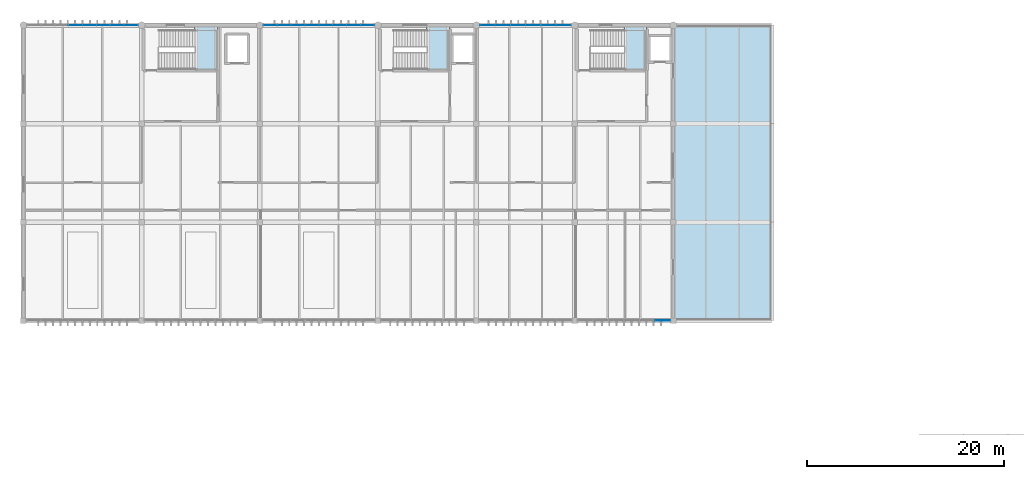
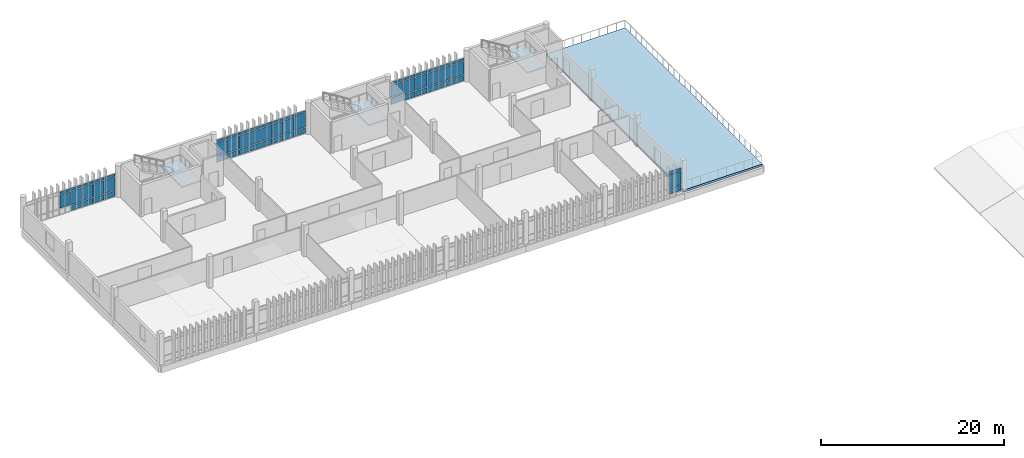
# One storey, part 24 of 29: 59 plates, 4 slabs, 7 elements without a shape of their own.
"""IFC4 building model written with IfcOpenShell, lengths in metres."""

from ifc_helpers import new_model, si_unit, direction, frame, origin, origin_2d, place, context, subcontext, project, spatial, polyline, rectangle, outline, extrude, material, layer, layer_set, type_object, element, aggregate, save


model = new_model("IFC4")

# Units and contexts
model_context = context("Model", 3, precision=1e-05, world=origin(), true_north=direction((0.0, 1.0)))
body_context = subcontext(model_context, "Body", "Model", "MODEL_VIEW")
ifc_project = project(units=[si_unit("LENGTHUNIT", "METRE"), si_unit("AREAUNIT", "SQUARE_METRE"), si_unit("VOLUMEUNIT", "CUBIC_METRE"), si_unit("PLANEANGLEUNIT", "RADIAN"), si_unit("MASSUNIT", "GRAM", prefix="KILO")], contexts=[model_context])

# Site, building, storey
site_placement = place(None, origin())
site = spatial("IfcSite", under=ifc_project, at=site_placement, CompositionType="ELEMENT")
building_placement = place(site_placement, origin())
building = spatial("IfcBuilding", under=site, at=building_placement, Name="Mersad Railyard Sports Hall", CompositionType="ELEMENT")
storey_placement = place(building_placement, frame((0.0, 0.0, 17.39990234375)))
storey = spatial("IfcBuildingStorey", under=building, at=storey_placement, Name="L04", CompositionType="ELEMENT", Elevation=17.39990234375)

# Curtain wall, plates
ifc_material_1 = material(Name="Aluminium 6063-T6", Category="aluminium")
ifc_layer_1 = layer(ifc_material_1, 0.159912109375)
ifc_layer_set_1 = layer_set([ifc_layer_1], Name="Aluminium 6063-T6")
curtain_wall_type_1 = type_object("IfcCurtainWallType", Name="ARC-CW-CW62", PredefinedType="USERDEFINED", material=ifc_layer_set_1)
curtain_wall_1_placement = place(storey_placement, origin())
curtain_wall_1 = element("IfcCurtainWall", 1, at=curtain_wall_1_placement, inside=storey, type_object=curtain_wall_type_1, Name="Curtain wall CW62-0162", ObjectType="CURTAIN WALL", PredefinedType="USERDEFINED")
ifc_material_2 = material(Name="Solar-control glass", Category="glass")
ifc_layer_2 = layer(ifc_material_2, 0.028076171875)
ifc_layer_set_2 = layer_set([ifc_layer_2], Name="Solar-control glass")
plate_type = type_object("IfcPlateType", Name="ARC-CW-PNL01", PredefinedType="CURTAIN_PANEL", material=ifc_layer_set_2)
plate_1_placement = place(storey_placement, frame((60.296142578125, 115.0, 0.89501953125), z_axis=(0.0, 0.0, 1.0), x_axis=(1.0, 0.0, 0.0)))
plate_1 = element("IfcPlate", 2, at=plate_1_placement, type_object=plate_type, Name="CW62 Glazed panel 4-2", PredefinedType="CURTAIN_PANEL", context=body_context, shape_type="SweptSolid", body=[
    extrude(rectangle(XDim=1.363525390625, YDim=0.028076171875, at=origin_2d()), origin(), (0.0, 0.0, 1.0), 1.760009765625),
])
plate_2_placement = place(storey_placement, frame((60.296142578125, 115.0, 2.7451171875), z_axis=(0.0, 0.0, 1.0), x_axis=(1.0, 0.0, 0.0)))
plate_2 = element("IfcPlate", 3, at=plate_2_placement, type_object=plate_type, Name="CW62 Glazed panel 4-3", PredefinedType="CURTAIN_PANEL", context=body_context, shape_type="SweptSolid", body=[
    extrude(rectangle(XDim=1.363525390625, YDim=0.028076171875, at=origin_2d()), origin(), (0.0, 0.0, 1.0), 0.35009765625),
])
plate_3_placement = place(storey_placement, frame((61.703857421875, 115.0, 0.0849609375), z_axis=(0.0, 0.0, 1.0), x_axis=(1.0, 0.0, 0.0)))
plate_3 = element("IfcPlate", 4, at=plate_3_placement, type_object=plate_type, Name="CW62 Glazed panel 5-1", PredefinedType="CURTAIN_PANEL", context=body_context, shape_type="SweptSolid", body=[
    extrude(rectangle(XDim=1.363525390625, YDim=0.028076171875, at=origin_2d()), origin(), (0.0, 0.0, 1.0), 0.719970703125),
])
plate_4_placement = place(storey_placement, frame((61.703857421875, 115.0, 0.89501953125), z_axis=(0.0, 0.0, 1.0), x_axis=(1.0, 0.0, 0.0)))
plate_4 = element("IfcPlate", 5, at=plate_4_placement, type_object=plate_type, Name="CW62 Glazed panel 5-2", PredefinedType="CURTAIN_PANEL", context=body_context, shape_type="SweptSolid", body=[
    extrude(rectangle(XDim=1.363525390625, YDim=0.028076171875, at=origin_2d()), origin(), (0.0, 0.0, 1.0), 1.760009765625),
])
plate_5_placement = place(storey_placement, frame((61.703857421875, 115.0, 2.7451171875), z_axis=(0.0, 0.0, 1.0), x_axis=(1.0, 0.0, 0.0)))
plate_5 = element("IfcPlate", 6, at=plate_5_placement, type_object=plate_type, Name="CW62 Glazed panel 5-3", PredefinedType="CURTAIN_PANEL", context=body_context, shape_type="SweptSolid", body=[
    extrude(rectangle(XDim=1.363525390625, YDim=0.028076171875, at=origin_2d()), origin(), (0.0, 0.0, 1.0), 0.35009765625),
])
plate_6_placement = place(storey_placement, frame((63.111328125, 115.0, 0.0849609375), z_axis=(0.0, 0.0, 1.0), x_axis=(1.0, 0.0, 0.0)))
plate_6 = element("IfcPlate", 7, at=plate_6_placement, type_object=plate_type, Name="CW62 Glazed panel 6-1", PredefinedType="CURTAIN_PANEL", context=body_context, shape_type="SweptSolid", body=[
    extrude(rectangle(XDim=1.363525390625, YDim=0.028076171875, at=origin_2d()), origin(), (0.0, 0.0, 1.0), 0.719970703125),
])
plate_7_placement = place(storey_placement, frame((63.111328125, 115.0, 0.89501953125), z_axis=(0.0, 0.0, 1.0), x_axis=(1.0, 0.0, 0.0)))
plate_7 = element("IfcPlate", 8, at=plate_7_placement, type_object=plate_type, Name="CW62 Glazed panel 6-2", PredefinedType="CURTAIN_PANEL", context=body_context, shape_type="SweptSolid", body=[
    extrude(rectangle(XDim=1.363525390625, YDim=0.028076171875, at=origin_2d()), origin(), (0.0, 0.0, 1.0), 1.760009765625),
])
plate_8_placement = place(storey_placement, frame((63.111328125, 115.0, 2.7451171875), z_axis=(0.0, 0.0, 1.0), x_axis=(1.0, 0.0, 0.0)))
plate_8 = element("IfcPlate", 9, at=plate_8_placement, type_object=plate_type, Name="CW62 Glazed panel 6-3", PredefinedType="CURTAIN_PANEL", context=body_context, shape_type="SweptSolid", body=[
    extrude(rectangle(XDim=1.363525390625, YDim=0.028076171875, at=origin_2d()), origin(), (0.0, 0.0, 1.0), 0.35009765625),
])
plate_9_placement = place(storey_placement, frame((64.518798828125, 115.0, 0.0849609375), z_axis=(0.0, 0.0, 1.0), x_axis=(1.0, 0.0, 0.0)))
plate_9 = element("IfcPlate", 10, at=plate_9_placement, type_object=plate_type, Name="CW62 Glazed panel 7-1", PredefinedType="CURTAIN_PANEL", context=body_context, shape_type="SweptSolid", body=[
    extrude(rectangle(XDim=1.363525390625, YDim=0.028076171875, at=origin_2d()), origin(), (0.0, 0.0, 1.0), 0.719970703125),
])
plate_10_placement = place(storey_placement, frame((64.518798828125, 115.0, 0.89501953125), z_axis=(0.0, 0.0, 1.0), x_axis=(1.0, 0.0, 0.0)))
plate_10 = element("IfcPlate", 11, at=plate_10_placement, type_object=plate_type, Name="CW62 Glazed panel 7-2", PredefinedType="CURTAIN_PANEL", context=body_context, shape_type="SweptSolid", body=[
    extrude(rectangle(XDim=1.363525390625, YDim=0.028076171875, at=origin_2d()), origin(), (0.0, 0.0, 1.0), 1.760009765625),
])
plate_11_placement = place(storey_placement, frame((64.518798828125, 115.0, 2.7451171875), z_axis=(0.0, 0.0, 1.0), x_axis=(1.0, 0.0, 0.0)))
plate_11 = element("IfcPlate", 12, at=plate_11_placement, type_object=plate_type, Name="CW62 Glazed panel 7-3", PredefinedType="CURTAIN_PANEL", context=body_context, shape_type="SweptSolid", body=[
    extrude(rectangle(XDim=1.363525390625, YDim=0.028076171875, at=origin_2d()), origin(), (0.0, 0.0, 1.0), 0.35009765625),
])
plate_12_placement = place(storey_placement, frame((65.92626953125, 115.0, 0.0849609375), z_axis=(0.0, 0.0, 1.0), x_axis=(1.0, 0.0, 0.0)))
plate_12 = element("IfcPlate", 13, at=plate_12_placement, type_object=plate_type, Name="CW62 Glazed panel 8-1", PredefinedType="CURTAIN_PANEL", context=body_context, shape_type="SweptSolid", body=[
    extrude(rectangle(XDim=1.363525390625, YDim=0.028076171875, at=origin_2d()), origin(), (0.0, 0.0, 1.0), 0.719970703125),
])
plate_13_placement = place(storey_placement, frame((65.92626953125, 115.0, 0.89501953125), z_axis=(0.0, 0.0, 1.0), x_axis=(1.0, 0.0, 0.0)))
plate_13 = element("IfcPlate", 14, at=plate_13_placement, type_object=plate_type, Name="CW62 Glazed panel 8-2", PredefinedType="CURTAIN_PANEL", context=body_context, shape_type="SweptSolid", body=[
    extrude(rectangle(XDim=1.363525390625, YDim=0.028076171875, at=origin_2d()), origin(), (0.0, 0.0, 1.0), 1.760009765625),
])
plate_14_placement = place(storey_placement, frame((65.92626953125, 115.0, 2.7451171875), z_axis=(0.0, 0.0, 1.0), x_axis=(1.0, 0.0, 0.0)))
plate_14 = element("IfcPlate", 15, at=plate_14_placement, type_object=plate_type, Name="CW62 Glazed panel 8-3", PredefinedType="CURTAIN_PANEL", context=body_context, shape_type="SweptSolid", body=[
    extrude(rectangle(XDim=1.363525390625, YDim=0.028076171875, at=origin_2d()), origin(), (0.0, 0.0, 1.0), 0.35009765625),
])
aggregate(curtain_wall_1, [plate_1, plate_2, plate_3, plate_4, plate_5, plate_6, plate_7, plate_8, plate_9, plate_10, plate_11, plate_12, plate_13, plate_14])

curtain_wall_2_placement = place(storey_placement, origin())
curtain_wall_2 = element("IfcCurtainWall", 16, at=curtain_wall_2_placement, inside=storey, type_object=curtain_wall_type_1, Name="Curtain wall CW62-0163", ObjectType="CURTAIN WALL", PredefinedType="USERDEFINED")
plate_15_placement = place(storey_placement, frame((80.07373046875, 115.0, 0.0849609375), z_axis=(0.0, 0.0, 1.0), x_axis=(1.0, 0.0, 0.0)))
plate_15 = element("IfcPlate", 17, at=plate_15_placement, type_object=plate_type, Name="CW62 Glazed panel 1-1", PredefinedType="CURTAIN_PANEL", context=body_context, shape_type="SweptSolid", body=[
    extrude(rectangle(XDim=1.363525390625, YDim=0.028076171875, at=origin_2d()), origin(), (0.0, 0.0, 1.0), 0.719970703125),
])
plate_16_placement = place(storey_placement, frame((80.07373046875, 115.0, 0.89501953125), z_axis=(0.0, 0.0, 1.0), x_axis=(1.0, 0.0, 0.0)))
plate_16 = element("IfcPlate", 18, at=plate_16_placement, type_object=plate_type, Name="CW62 Glazed panel 1-2", PredefinedType="CURTAIN_PANEL", context=body_context, shape_type="SweptSolid", body=[
    extrude(rectangle(XDim=1.363525390625, YDim=0.028076171875, at=origin_2d()), origin(), (0.0, 0.0, 1.0), 1.760009765625),
])
plate_17_placement = place(storey_placement, frame((80.07373046875, 115.0, 2.7451171875), z_axis=(0.0, 0.0, 1.0), x_axis=(1.0, 0.0, 0.0)))
plate_17 = element("IfcPlate", 19, at=plate_17_placement, type_object=plate_type, Name="CW62 Glazed panel 1-3", PredefinedType="CURTAIN_PANEL", context=body_context, shape_type="SweptSolid", body=[
    extrude(rectangle(XDim=1.363525390625, YDim=0.028076171875, at=origin_2d()), origin(), (0.0, 0.0, 1.0), 0.35009765625),
])
plate_18_placement = place(storey_placement, frame((81.481201171875, 115.0, 0.0849609375), z_axis=(0.0, 0.0, 1.0), x_axis=(1.0, 0.0, 0.0)))
plate_18 = element("IfcPlate", 20, at=plate_18_placement, type_object=plate_type, Name="CW62 Glazed panel 2-1", PredefinedType="CURTAIN_PANEL", context=body_context, shape_type="SweptSolid", body=[
    extrude(rectangle(XDim=1.363525390625, YDim=0.028076171875, at=origin_2d()), origin(), (0.0, 0.0, 1.0), 0.719970703125),
])
plate_19_placement = place(storey_placement, frame((81.481201171875, 115.0, 0.89501953125), z_axis=(0.0, 0.0, 1.0), x_axis=(1.0, 0.0, 0.0)))
plate_19 = element("IfcPlate", 21, at=plate_19_placement, type_object=plate_type, Name="CW62 Glazed panel 2-2", PredefinedType="CURTAIN_PANEL", context=body_context, shape_type="SweptSolid", body=[
    extrude(rectangle(XDim=1.363525390625, YDim=0.028076171875, at=origin_2d()), origin(), (0.0, 0.0, 1.0), 1.760009765625),
])
plate_20_placement = place(storey_placement, frame((81.481201171875, 115.0, 2.7451171875), z_axis=(0.0, 0.0, 1.0), x_axis=(1.0, 0.0, 0.0)))
plate_20 = element("IfcPlate", 22, at=plate_20_placement, type_object=plate_type, Name="CW62 Glazed panel 2-3", PredefinedType="CURTAIN_PANEL", context=body_context, shape_type="SweptSolid", body=[
    extrude(rectangle(XDim=1.363525390625, YDim=0.028076171875, at=origin_2d()), origin(), (0.0, 0.0, 1.0), 0.35009765625),
])
plate_21_placement = place(storey_placement, frame((82.888671875, 115.0, 0.0849609375), z_axis=(0.0, 0.0, 1.0), x_axis=(1.0, 0.0, 0.0)))
plate_21 = element("IfcPlate", 23, at=plate_21_placement, type_object=plate_type, Name="CW62 Glazed panel 3-1", PredefinedType="CURTAIN_PANEL", context=body_context, shape_type="SweptSolid", body=[
    extrude(rectangle(XDim=1.363525390625, YDim=0.028076171875, at=origin_2d()), origin(), (0.0, 0.0, 1.0), 0.719970703125),
])
plate_22_placement = place(storey_placement, frame((82.888671875, 115.0, 0.89501953125), z_axis=(0.0, 0.0, 1.0), x_axis=(1.0, 0.0, 0.0)))
plate_22 = element("IfcPlate", 24, at=plate_22_placement, type_object=plate_type, Name="CW62 Glazed panel 3-2", PredefinedType="CURTAIN_PANEL", context=body_context, shape_type="SweptSolid", body=[
    extrude(rectangle(XDim=1.363525390625, YDim=0.028076171875, at=origin_2d()), origin(), (0.0, 0.0, 1.0), 1.760009765625),
])
plate_23_placement = place(storey_placement, frame((82.888671875, 115.0, 2.7451171875), z_axis=(0.0, 0.0, 1.0), x_axis=(1.0, 0.0, 0.0)))
plate_23 = element("IfcPlate", 25, at=plate_23_placement, type_object=plate_type, Name="CW62 Glazed panel 3-3", PredefinedType="CURTAIN_PANEL", context=body_context, shape_type="SweptSolid", body=[
    extrude(rectangle(XDim=1.363525390625, YDim=0.028076171875, at=origin_2d()), origin(), (0.0, 0.0, 1.0), 0.35009765625),
])
plate_24_placement = place(storey_placement, frame((84.296142578125, 115.0, 0.0849609375), z_axis=(0.0, 0.0, 1.0), x_axis=(1.0, 0.0, 0.0)))
plate_24 = element("IfcPlate", 26, at=plate_24_placement, type_object=plate_type, Name="CW62 Glazed panel 4-1", PredefinedType="CURTAIN_PANEL", context=body_context, shape_type="SweptSolid", body=[
    extrude(rectangle(XDim=1.363525390625, YDim=0.028076171875, at=origin_2d()), origin(), (0.0, 0.0, 1.0), 0.719970703125),
])
plate_25_placement = place(storey_placement, frame((84.296142578125, 115.0, 0.89501953125), z_axis=(0.0, 0.0, 1.0), x_axis=(1.0, 0.0, 0.0)))
plate_25 = element("IfcPlate", 27, at=plate_25_placement, type_object=plate_type, Name="CW62 Glazed panel 4-2", PredefinedType="CURTAIN_PANEL", context=body_context, shape_type="SweptSolid", body=[
    extrude(rectangle(XDim=1.363525390625, YDim=0.028076171875, at=origin_2d()), origin(), (0.0, 0.0, 1.0), 1.760009765625),
])
plate_26_placement = place(storey_placement, frame((84.296142578125, 115.0, 2.7451171875), z_axis=(0.0, 0.0, 1.0), x_axis=(1.0, 0.0, 0.0)))
plate_26 = element("IfcPlate", 28, at=plate_26_placement, type_object=plate_type, Name="CW62 Glazed panel 4-3", PredefinedType="CURTAIN_PANEL", context=body_context, shape_type="SweptSolid", body=[
    extrude(rectangle(XDim=1.363525390625, YDim=0.028076171875, at=origin_2d()), origin(), (0.0, 0.0, 1.0), 0.35009765625),
])
plate_27_placement = place(storey_placement, frame((85.703857421875, 115.0, 0.0849609375), z_axis=(0.0, 0.0, 1.0), x_axis=(1.0, 0.0, 0.0)))
plate_27 = element("IfcPlate", 29, at=plate_27_placement, type_object=plate_type, Name="CW62 Glazed panel 5-1", PredefinedType="CURTAIN_PANEL", context=body_context, shape_type="SweptSolid", body=[
    extrude(rectangle(XDim=1.363525390625, YDim=0.028076171875, at=origin_2d()), origin(), (0.0, 0.0, 1.0), 0.719970703125),
])
plate_28_placement = place(storey_placement, frame((85.703857421875, 115.0, 0.89501953125), z_axis=(0.0, 0.0, 1.0), x_axis=(1.0, 0.0, 0.0)))
plate_28 = element("IfcPlate", 30, at=plate_28_placement, type_object=plate_type, Name="CW62 Glazed panel 5-2", PredefinedType="CURTAIN_PANEL", context=body_context, shape_type="SweptSolid", body=[
    extrude(rectangle(XDim=1.363525390625, YDim=0.028076171875, at=origin_2d()), origin(), (0.0, 0.0, 1.0), 1.760009765625),
])
plate_29_placement = place(storey_placement, frame((85.703857421875, 115.0, 2.7451171875), z_axis=(0.0, 0.0, 1.0), x_axis=(1.0, 0.0, 0.0)))
plate_29 = element("IfcPlate", 31, at=plate_29_placement, type_object=plate_type, Name="CW62 Glazed panel 5-3", PredefinedType="CURTAIN_PANEL", context=body_context, shape_type="SweptSolid", body=[
    extrude(rectangle(XDim=1.363525390625, YDim=0.028076171875, at=origin_2d()), origin(), (0.0, 0.0, 1.0), 0.35009765625),
])
plate_30_placement = place(storey_placement, frame((87.111328125, 115.0, 0.0849609375), z_axis=(0.0, 0.0, 1.0), x_axis=(1.0, 0.0, 0.0)))
plate_30 = element("IfcPlate", 32, at=plate_30_placement, type_object=plate_type, Name="CW62 Glazed panel 6-1", PredefinedType="CURTAIN_PANEL", context=body_context, shape_type="SweptSolid", body=[
    extrude(rectangle(XDim=1.363525390625, YDim=0.028076171875, at=origin_2d()), origin(), (0.0, 0.0, 1.0), 0.719970703125),
])
plate_31_placement = place(storey_placement, frame((87.111328125, 115.0, 0.89501953125), z_axis=(0.0, 0.0, 1.0), x_axis=(1.0, 0.0, 0.0)))
plate_31 = element("IfcPlate", 33, at=plate_31_placement, type_object=plate_type, Name="CW62 Glazed panel 6-2", PredefinedType="CURTAIN_PANEL", context=body_context, shape_type="SweptSolid", body=[
    extrude(rectangle(XDim=1.363525390625, YDim=0.028076171875, at=origin_2d()), origin(), (0.0, 0.0, 1.0), 1.760009765625),
])
plate_32_placement = place(storey_placement, frame((87.111328125, 115.0, 2.7451171875), z_axis=(0.0, 0.0, 1.0), x_axis=(1.0, 0.0, 0.0)))
plate_32 = element("IfcPlate", 34, at=plate_32_placement, type_object=plate_type, Name="CW62 Glazed panel 6-3", PredefinedType="CURTAIN_PANEL", context=body_context, shape_type="SweptSolid", body=[
    extrude(rectangle(XDim=1.363525390625, YDim=0.028076171875, at=origin_2d()), origin(), (0.0, 0.0, 1.0), 0.35009765625),
])
plate_33_placement = place(storey_placement, frame((88.518798828125, 115.0, 0.0849609375), z_axis=(0.0, 0.0, 1.0), x_axis=(1.0, 0.0, 0.0)))
plate_33 = element("IfcPlate", 35, at=plate_33_placement, type_object=plate_type, Name="CW62 Glazed panel 7-1", PredefinedType="CURTAIN_PANEL", context=body_context, shape_type="SweptSolid", body=[
    extrude(rectangle(XDim=1.363525390625, YDim=0.028076171875, at=origin_2d()), origin(), (0.0, 0.0, 1.0), 0.719970703125),
])
plate_34_placement = place(storey_placement, frame((88.518798828125, 115.0, 0.89501953125), z_axis=(0.0, 0.0, 1.0), x_axis=(1.0, 0.0, 0.0)))
plate_34 = element("IfcPlate", 36, at=plate_34_placement, type_object=plate_type, Name="CW62 Glazed panel 7-2", PredefinedType="CURTAIN_PANEL", context=body_context, shape_type="SweptSolid", body=[
    extrude(rectangle(XDim=1.363525390625, YDim=0.028076171875, at=origin_2d()), origin(), (0.0, 0.0, 1.0), 1.760009765625),
])
plate_35_placement = place(storey_placement, frame((88.518798828125, 115.0, 2.7451171875), z_axis=(0.0, 0.0, 1.0), x_axis=(1.0, 0.0, 0.0)))
plate_35 = element("IfcPlate", 37, at=plate_35_placement, type_object=plate_type, Name="CW62 Glazed panel 7-3", PredefinedType="CURTAIN_PANEL", context=body_context, shape_type="SweptSolid", body=[
    extrude(rectangle(XDim=1.363525390625, YDim=0.028076171875, at=origin_2d()), origin(), (0.0, 0.0, 1.0), 0.35009765625),
])
plate_36_placement = place(storey_placement, frame((89.92626953125, 115.0, 0.0849609375), z_axis=(0.0, 0.0, 1.0), x_axis=(1.0, 0.0, 0.0)))
plate_36 = element("IfcPlate", 38, at=plate_36_placement, type_object=plate_type, Name="CW62 Glazed panel 8-1", PredefinedType="CURTAIN_PANEL", context=body_context, shape_type="SweptSolid", body=[
    extrude(rectangle(XDim=1.363525390625, YDim=0.028076171875, at=origin_2d()), origin(), (0.0, 0.0, 1.0), 0.719970703125),
])
plate_37_placement = place(storey_placement, frame((89.92626953125, 115.0, 0.89501953125), z_axis=(0.0, 0.0, 1.0), x_axis=(1.0, 0.0, 0.0)))
plate_37 = element("IfcPlate", 39, at=plate_37_placement, type_object=plate_type, Name="CW62 Glazed panel 8-2", PredefinedType="CURTAIN_PANEL", context=body_context, shape_type="SweptSolid", body=[
    extrude(rectangle(XDim=1.363525390625, YDim=0.028076171875, at=origin_2d()), origin(), (0.0, 0.0, 1.0), 1.760009765625),
])
plate_38_placement = place(storey_placement, frame((89.92626953125, 115.0, 2.7451171875), z_axis=(0.0, 0.0, 1.0), x_axis=(1.0, 0.0, 0.0)))
plate_38 = element("IfcPlate", 40, at=plate_38_placement, type_object=plate_type, Name="CW62 Glazed panel 8-3", PredefinedType="CURTAIN_PANEL", context=body_context, shape_type="SweptSolid", body=[
    extrude(rectangle(XDim=1.363525390625, YDim=0.028076171875, at=origin_2d()), origin(), (0.0, 0.0, 1.0), 0.35009765625),
])
aggregate(curtain_wall_2, [plate_15, plate_16, plate_17, plate_18, plate_19, plate_20, plate_21, plate_22, plate_23, plate_24, plate_25, plate_26, plate_27, plate_28, plate_29, plate_30, plate_31, plate_32, plate_33, plate_34, plate_35, plate_36, plate_37, plate_38])

ifc_layer_3 = layer(ifc_material_1, 0.159912109375)
ifc_layer_set_3 = layer_set([ifc_layer_3], Name="Aluminium 6063-T6")
curtain_wall_type_2 = type_object("IfcCurtainWallType", Name="ARC-CW-CW63", PredefinedType="USERDEFINED", material=ifc_layer_set_3)
curtain_wall_3_placement = place(storey_placement, origin())
curtain_wall_3 = element("IfcCurtainWall", 41, at=curtain_wall_3_placement, inside=storey, type_object=curtain_wall_type_2, Name="Curtain wall CW63-0164", ObjectType="CURTAIN WALL", PredefinedType="USERDEFINED")
plate_39_placement = place(storey_placement, frame((102.1416015625, 115.0, 0.0849609375), z_axis=(0.0, 0.0, 1.0), x_axis=(1.0, 0.0, 0.0)))
plate_39 = element("IfcPlate", 42, at=plate_39_placement, type_object=plate_type, Name="CW63 Glazed panel 1-1", PredefinedType="CURTAIN_PANEL", context=body_context, shape_type="SweptSolid", body=[
    extrude(rectangle(XDim=1.499267578125, YDim=0.028076171875, at=origin_2d()), origin(), (0.0, 0.0, 1.0), 0.719970703125),
])
plate_40_placement = place(storey_placement, frame((102.1416015625, 115.0, 0.89501953125), z_axis=(0.0, 0.0, 1.0), x_axis=(1.0, 0.0, 0.0)))
plate_40 = element("IfcPlate", 43, at=plate_40_placement, type_object=plate_type, Name="CW63 Glazed panel 1-2", PredefinedType="CURTAIN_PANEL", context=body_context, shape_type="SweptSolid", body=[
    extrude(rectangle(XDim=1.499267578125, YDim=0.028076171875, at=origin_2d()), origin(), (0.0, 0.0, 1.0), 1.760009765625),
])
plate_41_placement = place(storey_placement, frame((102.1416015625, 115.0, 2.7451171875), z_axis=(0.0, 0.0, 1.0), x_axis=(1.0, 0.0, 0.0)))
plate_41 = element("IfcPlate", 44, at=plate_41_placement, type_object=plate_type, Name="CW63 Glazed panel 1-3", PredefinedType="CURTAIN_PANEL", context=body_context, shape_type="SweptSolid", body=[
    extrude(rectangle(XDim=1.499267578125, YDim=0.028076171875, at=origin_2d()), origin(), (0.0, 0.0, 1.0), 0.35009765625),
])
plate_42_placement = place(storey_placement, frame((103.68505859375, 115.0, 0.0849609375), z_axis=(0.0, 0.0, 1.0), x_axis=(1.0, 0.0, 0.0)))
plate_42 = element("IfcPlate", 45, at=plate_42_placement, type_object=plate_type, Name="CW63 Glazed panel 2-1", PredefinedType="CURTAIN_PANEL", context=body_context, shape_type="SweptSolid", body=[
    extrude(rectangle(XDim=1.499267578125, YDim=0.028076171875, at=origin_2d()), origin(), (0.0, 0.0, 1.0), 0.719970703125),
])
plate_43_placement = place(storey_placement, frame((103.68505859375, 115.0, 0.89501953125), z_axis=(0.0, 0.0, 1.0), x_axis=(1.0, 0.0, 0.0)))
plate_43 = element("IfcPlate", 46, at=plate_43_placement, type_object=plate_type, Name="CW63 Glazed panel 2-2", PredefinedType="CURTAIN_PANEL", context=body_context, shape_type="SweptSolid", body=[
    extrude(rectangle(XDim=1.499267578125, YDim=0.028076171875, at=origin_2d()), origin(), (0.0, 0.0, 1.0), 1.760009765625),
])
plate_44_placement = place(storey_placement, frame((103.68505859375, 115.0, 2.7451171875), z_axis=(0.0, 0.0, 1.0), x_axis=(1.0, 0.0, 0.0)))
plate_44 = element("IfcPlate", 47, at=plate_44_placement, type_object=plate_type, Name="CW63 Glazed panel 2-3", PredefinedType="CURTAIN_PANEL", context=body_context, shape_type="SweptSolid", body=[
    extrude(rectangle(XDim=1.499267578125, YDim=0.028076171875, at=origin_2d()), origin(), (0.0, 0.0, 1.0), 0.35009765625),
])
plate_45_placement = place(storey_placement, frame((105.228271484375, 115.0, 0.0849609375), z_axis=(0.0, 0.0, 1.0), x_axis=(1.0, 0.0, 0.0)))
plate_45 = element("IfcPlate", 48, at=plate_45_placement, type_object=plate_type, Name="CW63 Glazed panel 3-1", PredefinedType="CURTAIN_PANEL", context=body_context, shape_type="SweptSolid", body=[
    extrude(rectangle(XDim=1.499267578125, YDim=0.028076171875, at=origin_2d()), origin(), (0.0, 0.0, 1.0), 0.719970703125),
])
plate_46_placement = place(storey_placement, frame((105.228271484375, 115.0, 0.89501953125), z_axis=(0.0, 0.0, 1.0), x_axis=(1.0, 0.0, 0.0)))
plate_46 = element("IfcPlate", 49, at=plate_46_placement, type_object=plate_type, Name="CW63 Glazed panel 3-2", PredefinedType="CURTAIN_PANEL", context=body_context, shape_type="SweptSolid", body=[
    extrude(rectangle(XDim=1.499267578125, YDim=0.028076171875, at=origin_2d()), origin(), (0.0, 0.0, 1.0), 1.760009765625),
])
plate_47_placement = place(storey_placement, frame((105.228271484375, 115.0, 2.7451171875), z_axis=(0.0, 0.0, 1.0), x_axis=(1.0, 0.0, 0.0)))
plate_47 = element("IfcPlate", 50, at=plate_47_placement, type_object=plate_type, Name="CW63 Glazed panel 3-3", PredefinedType="CURTAIN_PANEL", context=body_context, shape_type="SweptSolid", body=[
    extrude(rectangle(XDim=1.499267578125, YDim=0.028076171875, at=origin_2d()), origin(), (0.0, 0.0, 1.0), 0.35009765625),
])
plate_48_placement = place(storey_placement, frame((106.771728515625, 115.0, 0.0849609375), z_axis=(0.0, 0.0, 1.0), x_axis=(1.0, 0.0, 0.0)))
plate_48 = element("IfcPlate", 51, at=plate_48_placement, type_object=plate_type, Name="CW63 Glazed panel 4-1", PredefinedType="CURTAIN_PANEL", context=body_context, shape_type="SweptSolid", body=[
    extrude(rectangle(XDim=1.499267578125, YDim=0.028076171875, at=origin_2d()), origin(), (0.0, 0.0, 1.0), 0.719970703125),
])
plate_49_placement = place(storey_placement, frame((106.771728515625, 115.0, 0.89501953125), z_axis=(0.0, 0.0, 1.0), x_axis=(1.0, 0.0, 0.0)))
plate_49 = element("IfcPlate", 52, at=plate_49_placement, type_object=plate_type, Name="CW63 Glazed panel 4-2", PredefinedType="CURTAIN_PANEL", context=body_context, shape_type="SweptSolid", body=[
    extrude(rectangle(XDim=1.499267578125, YDim=0.028076171875, at=origin_2d()), origin(), (0.0, 0.0, 1.0), 1.760009765625),
])
plate_50_placement = place(storey_placement, frame((106.771728515625, 115.0, 2.7451171875), z_axis=(0.0, 0.0, 1.0), x_axis=(1.0, 0.0, 0.0)))
plate_50 = element("IfcPlate", 53, at=plate_50_placement, type_object=plate_type, Name="CW63 Glazed panel 4-3", PredefinedType="CURTAIN_PANEL", context=body_context, shape_type="SweptSolid", body=[
    extrude(rectangle(XDim=1.499267578125, YDim=0.028076171875, at=origin_2d()), origin(), (0.0, 0.0, 1.0), 0.35009765625),
])
plate_51_placement = place(storey_placement, frame((108.31494140625, 115.0, 0.0849609375), z_axis=(0.0, 0.0, 1.0), x_axis=(1.0, 0.0, 0.0)))
plate_51 = element("IfcPlate", 54, at=plate_51_placement, type_object=plate_type, Name="CW63 Glazed panel 5-1", PredefinedType="CURTAIN_PANEL", context=body_context, shape_type="SweptSolid", body=[
    extrude(rectangle(XDim=1.499267578125, YDim=0.028076171875, at=origin_2d()), origin(), (0.0, 0.0, 1.0), 0.719970703125),
])
plate_52_placement = place(storey_placement, frame((108.31494140625, 115.0, 0.89501953125), z_axis=(0.0, 0.0, 1.0), x_axis=(1.0, 0.0, 0.0)))
plate_52 = element("IfcPlate", 55, at=plate_52_placement, type_object=plate_type, Name="CW63 Glazed panel 5-2", PredefinedType="CURTAIN_PANEL", context=body_context, shape_type="SweptSolid", body=[
    extrude(rectangle(XDim=1.499267578125, YDim=0.028076171875, at=origin_2d()), origin(), (0.0, 0.0, 1.0), 1.760009765625),
])
plate_53_placement = place(storey_placement, frame((108.31494140625, 115.0, 2.7451171875), z_axis=(0.0, 0.0, 1.0), x_axis=(1.0, 0.0, 0.0)))
plate_53 = element("IfcPlate", 56, at=plate_53_placement, type_object=plate_type, Name="CW63 Glazed panel 5-3", PredefinedType="CURTAIN_PANEL", context=body_context, shape_type="SweptSolid", body=[
    extrude(rectangle(XDim=1.499267578125, YDim=0.028076171875, at=origin_2d()), origin(), (0.0, 0.0, 1.0), 0.35009765625),
])
plate_54_placement = place(storey_placement, frame((109.8583984375, 115.0, 0.0849609375), z_axis=(0.0, 0.0, 1.0), x_axis=(1.0, 0.0, 0.0)))
plate_54 = element("IfcPlate", 57, at=plate_54_placement, type_object=plate_type, Name="CW63 Glazed panel 6-1", PredefinedType="CURTAIN_PANEL", context=body_context, shape_type="SweptSolid", body=[
    extrude(rectangle(XDim=1.499267578125, YDim=0.028076171875, at=origin_2d()), origin(), (0.0, 0.0, 1.0), 0.719970703125),
])
plate_55_placement = place(storey_placement, frame((109.8583984375, 115.0, 0.89501953125), z_axis=(0.0, 0.0, 1.0), x_axis=(1.0, 0.0, 0.0)))
plate_55 = element("IfcPlate", 58, at=plate_55_placement, type_object=plate_type, Name="CW63 Glazed panel 6-2", PredefinedType="CURTAIN_PANEL", context=body_context, shape_type="SweptSolid", body=[
    extrude(rectangle(XDim=1.499267578125, YDim=0.028076171875, at=origin_2d()), origin(), (0.0, 0.0, 1.0), 1.760009765625),
])
plate_56_placement = place(storey_placement, frame((109.8583984375, 115.0, 2.7451171875), z_axis=(0.0, 0.0, 1.0), x_axis=(1.0, 0.0, 0.0)))
plate_56 = element("IfcPlate", 59, at=plate_56_placement, type_object=plate_type, Name="CW63 Glazed panel 6-3", PredefinedType="CURTAIN_PANEL", context=body_context, shape_type="SweptSolid", body=[
    extrude(rectangle(XDim=1.499267578125, YDim=0.028076171875, at=origin_2d()), origin(), (0.0, 0.0, 1.0), 0.35009765625),
])
aggregate(curtain_wall_3, [plate_39, plate_40, plate_41, plate_42, plate_43, plate_44, plate_45, plate_46, plate_47, plate_48, plate_49, plate_50, plate_51, plate_52, plate_53, plate_54, plate_55, plate_56])

ifc_layer_4 = layer(ifc_material_1, 0.159912109375)
ifc_layer_set_4 = layer_set([ifc_layer_4], Name="Aluminium 6063-T6")
curtain_wall_type_3 = type_object("IfcCurtainWallType", Name="ARC-CW-CW65", PredefinedType="USERDEFINED", material=ifc_layer_set_4)
curtain_wall_4_placement = place(storey_placement, origin())
curtain_wall_4 = element("IfcCurtainWall", 60, at=curtain_wall_4_placement, inside=storey, type_object=curtain_wall_type_3, Name="Curtain wall CW65-0170", ObjectType="CURTAIN WALL", PredefinedType="USERDEFINED")
plate_57_placement = place(storey_placement, frame((119.9208984375, 85.0, 0.0849609375), z_axis=(0.0, 0.0, 1.0), x_axis=(-1.0, 0.0, 0.0)))
plate_57 = element("IfcPlate", 61, at=plate_57_placement, type_object=plate_type, Name="CW65 Glazed panel 1-1", PredefinedType="CURTAIN_PANEL", context=body_context, shape_type="SweptSolid", body=[
    extrude(rectangle(XDim=1.5244140625, YDim=0.028076171875, at=origin_2d()), origin(), (0.0, 0.0, 1.0), 0.719970703125),
])
plate_58_placement = place(storey_placement, frame((119.9208984375, 85.0, 0.89501953125), z_axis=(0.0, 0.0, 1.0), x_axis=(-1.0, 0.0, 0.0)))
plate_58 = element("IfcPlate", 62, at=plate_58_placement, type_object=plate_type, Name="CW65 Glazed panel 1-2", PredefinedType="CURTAIN_PANEL", context=body_context, shape_type="SweptSolid", body=[
    extrude(rectangle(XDim=1.5244140625, YDim=0.028076171875, at=origin_2d()), origin(), (0.0, 0.0, 1.0), 1.760009765625),
])
plate_59_placement = place(storey_placement, frame((119.9208984375, 85.0, 2.7451171875), z_axis=(0.0, 0.0, 1.0), x_axis=(-1.0, 0.0, 0.0)))
plate_59 = element("IfcPlate", 63, at=plate_59_placement, type_object=plate_type, Name="CW65 Glazed panel 1-3", PredefinedType="CURTAIN_PANEL", context=body_context, shape_type="SweptSolid", body=[
    extrude(rectangle(XDim=1.5244140625, YDim=0.028076171875, at=origin_2d()), origin(), (0.0, 0.0, 1.0), 0.35009765625),
])
aggregate(curtain_wall_4, [plate_57, plate_58, plate_59])

# Stair, slab
ifc_material_3 = material(Name="Concrete C40/50", Category="concrete")
stair_type_1 = type_object("IfcStairType", Name="ARC-ST-ST01F", PredefinedType="HALF_TURN_STAIR", material=ifc_material_3)
stair_1_placement = place(storey_placement, origin())
stair_1 = element("IfcStair", 64, at=stair_1_placement, inside=storey, type_object=stair_type_1, Name="Core C1 Exit Stair L04-L05", PredefinedType="HALF_TURN_STAIR")
ifc_material_4 = material(Name="Precast concrete C45/55", Category="concrete")
ifc_layer_5 = layer(ifc_material_4, 0.199951171875)
ifc_layer_set_5 = layer_set([ifc_layer_5], Name="Precast concrete C45/55")
slab_type_1 = type_object("IfcSlabType", Name="STR-SL-LD02", PredefinedType="LANDING", material=ifc_layer_set_5)
slab_1_placement = place(storey_placement, frame((0.0, 0.0, 1.920166015625)))
slab_1 = element("IfcSlab", 65, at=slab_1_placement, type_object=slab_type_1, Name="Core C1 Exit Stair L04-L05 Half Landing", PredefinedType="LANDING", context=body_context, shape_type="SweptSolid", body=[
    extrude(outline(polyline([(72.382080078125, 110.3798828125), (74.77001953125, 110.3798828125), (74.77001953125, 115.050048828125), (72.382080078125, 115.050048828125), (72.382080078125, 110.3798828125)])), origin(), (0.0, 0.0, 1.0), 0.179931640625),
])
aggregate(stair_1, [slab_1])

stair_type_2 = type_object("IfcStairType", Name="ARC-ST-ST02F", PredefinedType="HALF_TURN_STAIR", material=ifc_material_3)
stair_2_placement = place(storey_placement, origin())
stair_2 = element("IfcStair", 66, at=stair_2_placement, inside=storey, type_object=stair_type_2, Name="Core C2 Exit Stair L04-L05", PredefinedType="HALF_TURN_STAIR")
slab_2_placement = place(storey_placement, frame((0.0, 0.0, 1.920166015625)))
slab_2 = element("IfcSlab", 67, at=slab_2_placement, type_object=slab_type_1, Name="Core C2 Exit Stair L04-L05 Half Landing", PredefinedType="LANDING", context=body_context, shape_type="SweptSolid", body=[
    extrude(outline(polyline([(95.947998046875, 110.3798828125), (98.320068359375, 110.3798828125), (98.320068359375, 115.050048828125), (95.947998046875, 115.050048828125), (95.947998046875, 110.3798828125)])), origin(), (0.0, 0.0, 1.0), 0.179931640625),
])
aggregate(stair_2, [slab_2])

stair_type_3 = type_object("IfcStairType", Name="ARC-ST-ST03F", PredefinedType="HALF_TURN_STAIR", material=ifc_material_3)
stair_3_placement = place(storey_placement, origin())
stair_3 = element("IfcStair", 68, at=stair_3_placement, inside=storey, type_object=stair_type_3, Name="Core C3 Exit Stair L04-L05", PredefinedType="HALF_TURN_STAIR")
slab_3_placement = place(storey_placement, frame((0.0, 0.0, 1.920166015625)))
slab_3 = element("IfcSlab", 69, at=slab_3_placement, type_object=slab_type_1, Name="Core C3 Exit Stair L04-L05 Half Landing", PredefinedType="LANDING", context=body_context, shape_type="SweptSolid", body=[
    extrude(outline(polyline([(115.971923828125, 110.3798828125), (118.320068359375, 110.3798828125), (118.320068359375, 115.050048828125), (115.971923828125, 115.050048828125), (115.971923828125, 110.3798828125)])), origin(), (0.0, 0.0, 1.0), 0.179931640625),
])
aggregate(stair_3, [slab_3])

# Slab
ifc_layer_6 = layer(ifc_material_3, 0.260009765625)
ifc_layer_set_6 = layer_set([ifc_layer_6], Name="Concrete C40/50")
slab_type_2 = type_object("IfcSlabType", Name="STR-SL-TR02", PredefinedType="FLOOR", material=ifc_layer_set_6)
slab_4_placement = place(storey_placement, frame((0.0, 0.0, -0.260009765625)))
element("IfcSlab", 70, at=slab_4_placement, inside=storey, type_object=slab_type_2, Name="Slab TR02-0127", PredefinedType="FLOOR", context=body_context, shape_type="SweptSolid", body=[
    extrude(outline(polyline([(121.0, 85.0), (131.0, 85.0), (131.0, 115.0), (121.0, 115.0), (121.0, 85.0)])), origin(), (0.0, 0.0, 1.0), 0.260009765625),
])

save(model, "model.ifc")
